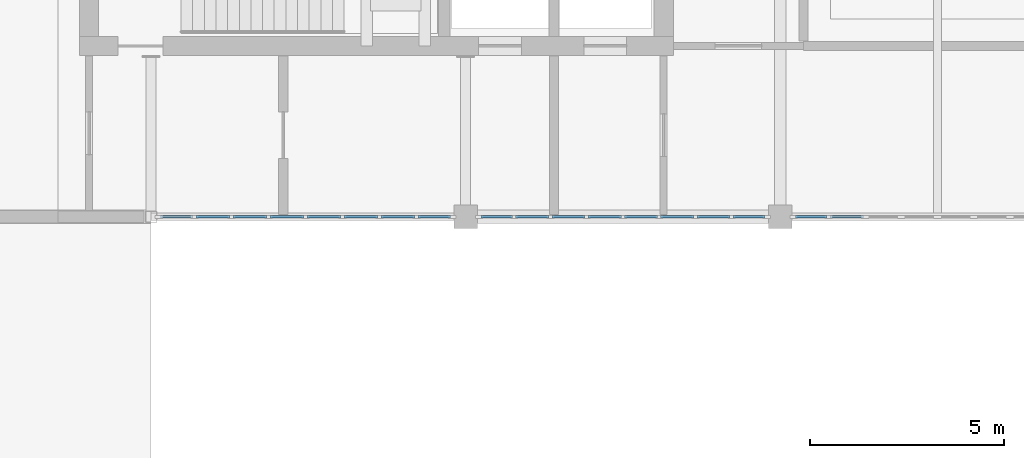
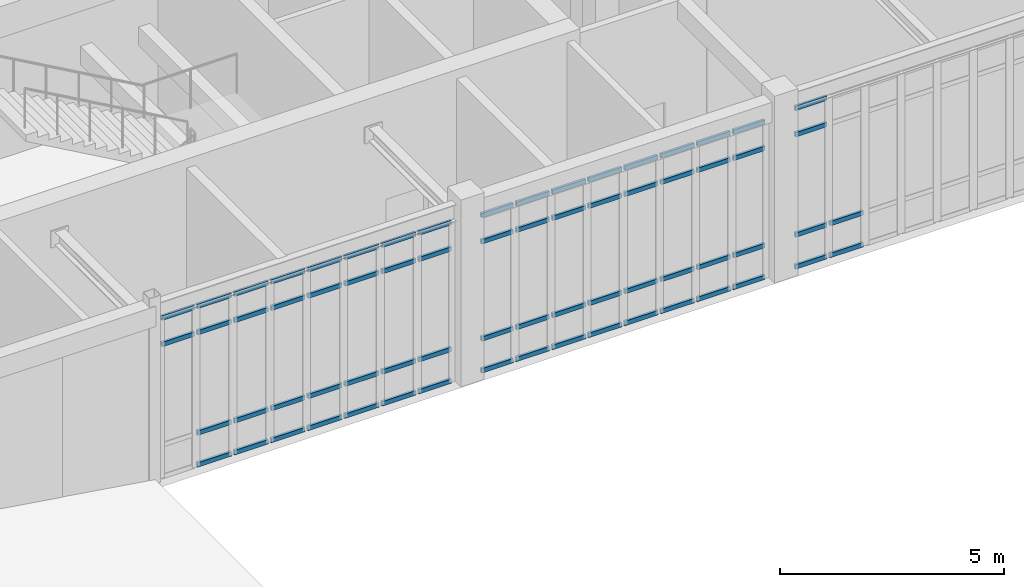
# One storey, part 36 of 70: 68 members, 3 elements without a shape of their own.
"""IFC4 building model written with IfcOpenShell, lengths in metres."""

from ifc_helpers import new_model, si_unit, direction, frame, origin, origin_2d, place, context, subcontext, project, spatial, rectangle, extrude, material, material_profile, profile_set, type_object, element, aggregate, save


model = new_model("IFC4")

# Units and contexts
model_context = context("Model", 3, precision=1e-05, world=origin(), true_north=direction((0.0, 1.0)))
body_context = subcontext(model_context, "Body", "Model", "MODEL_VIEW")
ifc_project = project(units=[si_unit("LENGTHUNIT", "METRE"), si_unit("AREAUNIT", "SQUARE_METRE"), si_unit("VOLUMEUNIT", "CUBIC_METRE"), si_unit("PLANEANGLEUNIT", "RADIAN"), si_unit("MASSUNIT", "GRAM", prefix="KILO")], contexts=[model_context])

# Site, building, storey
site_placement = place(None, origin())
site = spatial("IfcSite", under=ifc_project, at=site_placement, CompositionType="ELEMENT")
building_placement = place(site_placement, origin())
building = spatial("IfcBuilding", under=site, at=building_placement, Name="Tarnveldt Square Police Headquarters", CompositionType="ELEMENT")
storey_placement = place(building_placement, frame((0.0, 0.0, 19.800048828125)))
storey = spatial("IfcBuildingStorey", under=building, at=storey_placement, Name="L04", CompositionType="ELEMENT", Elevation=19.800048828125)

# Curtain wall, members
ifc_material_1 = material(Name="Triple-glazed low-e laminated vision glass", Category="glass")
curtain_wall_type_1 = type_object("IfcCurtainWallType", Name="CW-LB-762x439", PredefinedType="USERDEFINED", material=ifc_material_1)
curtain_wall_1_placement = place(storey_placement, origin())
curtain_wall_1 = element("IfcCurtainWall", 1, at=curtain_wall_1_placement, inside=storey, type_object=curtain_wall_type_1, Name="L04 Curtain Wall CW-L04-126", ObjectType="GLAZED CURTAIN WALL", PredefinedType="USERDEFINED")
ifc_material_2 = material(Name="Thermally broken anodised aluminium 6063-T6", Category="aluminium")
ifc_material_profile = material_profile(ifc_material_2, rectangle(XDim=0.06494140625, YDim=0.1201171875, at=origin_2d()), Name="CW-T65x120")
ifc_profile_set = profile_set([ifc_material_profile], Name="Thermally broken anodised aluminium 6063-T6")
member_type = type_object("IfcMemberType", Name="CWT-65x120", PredefinedType="USERDEFINED", material=ifc_profile_set)
member_1_placement = place(storey_placement, frame((48.84228515625, 96.0, 3.638916015625), z_axis=(1.0, 0.0, 0.0), x_axis=(0.0, 1.0, 0.0)))
member_1 = element("IfcMember", 2, at=member_1_placement, type_object=member_type, Name="CW-LB76 transom 1.3", ObjectType="TRANSOM", PredefinedType="USERDEFINED", context=body_context, shape_type="SweptSolid", body=[
    extrude(rectangle(XDim=0.06494140625, YDim=0.1201171875, at=origin_2d()), origin(), (0.0, 0.0, 1.0), 0.83984375),
])
member_2_placement = place(storey_placement, frame((48.84228515625, 96.0, 4.3564453125), z_axis=(1.0, 0.0, 0.0), x_axis=(0.0, 1.0, 0.0)))
member_2 = element("IfcMember", 3, at=member_2_placement, type_object=member_type, Name="CW-LB76 transom 1.4", ObjectType="TRANSOM", PredefinedType="USERDEFINED", context=body_context, shape_type="SweptSolid", body=[
    extrude(rectangle(XDim=0.06494140625, YDim=0.1201171875, at=origin_2d()), origin(), (0.0, 0.0, 1.0), 0.83984375),
])
member_3_placement = place(storey_placement, frame((49.757080078125, 96.0, 0.032470703125), z_axis=(1.0, 0.0, 0.0), x_axis=(0.0, 1.0, 0.0)))
member_3 = element("IfcMember", 4, at=member_3_placement, type_object=member_type, Name="CW-LB76 transom 2.1", ObjectType="TRANSOM", PredefinedType="USERDEFINED", context=body_context, shape_type="SweptSolid", body=[
    extrude(rectangle(XDim=0.06494140625, YDim=0.1201171875, at=origin_2d()), origin(), (0.0, 0.0, 1.0), 0.877197265625),
])
member_4_placement = place(storey_placement, frame((49.757080078125, 96.0, 0.89990234375), z_axis=(1.0, 0.0, 0.0), x_axis=(0.0, 1.0, 0.0)))
member_4 = element("IfcMember", 5, at=member_4_placement, type_object=member_type, Name="CW-LB76 transom 2.2", ObjectType="TRANSOM", PredefinedType="USERDEFINED", context=body_context, shape_type="SweptSolid", body=[
    extrude(rectangle(XDim=0.06494140625, YDim=0.1201171875, at=origin_2d()), origin(), (0.0, 0.0, 1.0), 0.877197265625),
])
member_5_placement = place(storey_placement, frame((49.757080078125, 96.0, 3.638916015625), z_axis=(1.0, 0.0, 0.0), x_axis=(0.0, 1.0, 0.0)))
member_5 = element("IfcMember", 6, at=member_5_placement, type_object=member_type, Name="CW-LB76 transom 2.3", ObjectType="TRANSOM", PredefinedType="USERDEFINED", context=body_context, shape_type="SweptSolid", body=[
    extrude(rectangle(XDim=0.06494140625, YDim=0.1201171875, at=origin_2d()), origin(), (0.0, 0.0, 1.0), 0.877197265625),
])
member_6_placement = place(storey_placement, frame((49.757080078125, 96.0, 4.3564453125), z_axis=(1.0, 0.0, 0.0), x_axis=(0.0, 1.0, 0.0)))
member_6 = element("IfcMember", 7, at=member_6_placement, type_object=member_type, Name="CW-LB76 transom 2.4", ObjectType="TRANSOM", PredefinedType="USERDEFINED", context=body_context, shape_type="SweptSolid", body=[
    extrude(rectangle(XDim=0.06494140625, YDim=0.1201171875, at=origin_2d()), origin(), (0.0, 0.0, 1.0), 0.877197265625),
])
member_7_placement = place(storey_placement, frame((50.709228515625, 96.0, 0.032470703125), z_axis=(1.0, 0.0, 0.0), x_axis=(0.0, 1.0, 0.0)))
member_7 = element("IfcMember", 8, at=member_7_placement, type_object=member_type, Name="CW-LB76 transom 3.1", ObjectType="TRANSOM", PredefinedType="USERDEFINED", context=body_context, shape_type="SweptSolid", body=[
    extrude(rectangle(XDim=0.06494140625, YDim=0.1201171875, at=origin_2d()), origin(), (0.0, 0.0, 1.0), 0.877197265625),
])
member_8_placement = place(storey_placement, frame((50.709228515625, 96.0, 0.89990234375), z_axis=(1.0, 0.0, 0.0), x_axis=(0.0, 1.0, 0.0)))
member_8 = element("IfcMember", 9, at=member_8_placement, type_object=member_type, Name="CW-LB76 transom 3.2", ObjectType="TRANSOM", PredefinedType="USERDEFINED", context=body_context, shape_type="SweptSolid", body=[
    extrude(rectangle(XDim=0.06494140625, YDim=0.1201171875, at=origin_2d()), origin(), (0.0, 0.0, 1.0), 0.877197265625),
])
member_9_placement = place(storey_placement, frame((50.709228515625, 96.0, 3.638916015625), z_axis=(1.0, 0.0, 0.0), x_axis=(0.0, 1.0, 0.0)))
member_9 = element("IfcMember", 10, at=member_9_placement, type_object=member_type, Name="CW-LB76 transom 3.3", ObjectType="TRANSOM", PredefinedType="USERDEFINED", context=body_context, shape_type="SweptSolid", body=[
    extrude(rectangle(XDim=0.06494140625, YDim=0.1201171875, at=origin_2d()), origin(), (0.0, 0.0, 1.0), 0.877197265625),
])
member_10_placement = place(storey_placement, frame((50.709228515625, 96.0, 4.3564453125), z_axis=(1.0, 0.0, 0.0), x_axis=(0.0, 1.0, 0.0)))
member_10 = element("IfcMember", 11, at=member_10_placement, type_object=member_type, Name="CW-LB76 transom 3.4", ObjectType="TRANSOM", PredefinedType="USERDEFINED", context=body_context, shape_type="SweptSolid", body=[
    extrude(rectangle(XDim=0.06494140625, YDim=0.1201171875, at=origin_2d()), origin(), (0.0, 0.0, 1.0), 0.877197265625),
])
member_11_placement = place(storey_placement, frame((51.66162109375, 96.0, 0.032470703125), z_axis=(1.0, 0.0, 0.0), x_axis=(0.0, 1.0, 0.0)))
member_11 = element("IfcMember", 12, at=member_11_placement, type_object=member_type, Name="CW-LB76 transom 4.1", ObjectType="TRANSOM", PredefinedType="USERDEFINED", context=body_context, shape_type="SweptSolid", body=[
    extrude(rectangle(XDim=0.06494140625, YDim=0.1201171875, at=origin_2d()), origin(), (0.0, 0.0, 1.0), 0.877197265625),
])
member_12_placement = place(storey_placement, frame((51.66162109375, 96.0, 0.89990234375), z_axis=(1.0, 0.0, 0.0), x_axis=(0.0, 1.0, 0.0)))
member_12 = element("IfcMember", 13, at=member_12_placement, type_object=member_type, Name="CW-LB76 transom 4.2", ObjectType="TRANSOM", PredefinedType="USERDEFINED", context=body_context, shape_type="SweptSolid", body=[
    extrude(rectangle(XDim=0.06494140625, YDim=0.1201171875, at=origin_2d()), origin(), (0.0, 0.0, 1.0), 0.877197265625),
])
member_13_placement = place(storey_placement, frame((51.66162109375, 96.0, 3.638916015625), z_axis=(1.0, 0.0, 0.0), x_axis=(0.0, 1.0, 0.0)))
member_13 = element("IfcMember", 14, at=member_13_placement, type_object=member_type, Name="CW-LB76 transom 4.3", ObjectType="TRANSOM", PredefinedType="USERDEFINED", context=body_context, shape_type="SweptSolid", body=[
    extrude(rectangle(XDim=0.06494140625, YDim=0.1201171875, at=origin_2d()), origin(), (0.0, 0.0, 1.0), 0.877197265625),
])
member_14_placement = place(storey_placement, frame((51.66162109375, 96.0, 4.3564453125), z_axis=(1.0, 0.0, 0.0), x_axis=(0.0, 1.0, 0.0)))
member_14 = element("IfcMember", 15, at=member_14_placement, type_object=member_type, Name="CW-LB76 transom 4.4", ObjectType="TRANSOM", PredefinedType="USERDEFINED", context=body_context, shape_type="SweptSolid", body=[
    extrude(rectangle(XDim=0.06494140625, YDim=0.1201171875, at=origin_2d()), origin(), (0.0, 0.0, 1.0), 0.877197265625),
])
member_15_placement = place(storey_placement, frame((52.61376953125, 96.0, 0.032470703125), z_axis=(1.0, 0.0, 0.0), x_axis=(0.0, 1.0, 0.0)))
member_15 = element("IfcMember", 16, at=member_15_placement, type_object=member_type, Name="CW-LB76 transom 5.1", ObjectType="TRANSOM", PredefinedType="USERDEFINED", context=body_context, shape_type="SweptSolid", body=[
    extrude(rectangle(XDim=0.06494140625, YDim=0.1201171875, at=origin_2d()), origin(), (0.0, 0.0, 1.0), 0.877197265625),
])
member_16_placement = place(storey_placement, frame((52.61376953125, 96.0, 0.89990234375), z_axis=(1.0, 0.0, 0.0), x_axis=(0.0, 1.0, 0.0)))
member_16 = element("IfcMember", 17, at=member_16_placement, type_object=member_type, Name="CW-LB76 transom 5.2", ObjectType="TRANSOM", PredefinedType="USERDEFINED", context=body_context, shape_type="SweptSolid", body=[
    extrude(rectangle(XDim=0.06494140625, YDim=0.1201171875, at=origin_2d()), origin(), (0.0, 0.0, 1.0), 0.877197265625),
])
member_17_placement = place(storey_placement, frame((52.61376953125, 96.0, 3.638916015625), z_axis=(1.0, 0.0, 0.0), x_axis=(0.0, 1.0, 0.0)))
member_17 = element("IfcMember", 18, at=member_17_placement, type_object=member_type, Name="CW-LB76 transom 5.3", ObjectType="TRANSOM", PredefinedType="USERDEFINED", context=body_context, shape_type="SweptSolid", body=[
    extrude(rectangle(XDim=0.06494140625, YDim=0.1201171875, at=origin_2d()), origin(), (0.0, 0.0, 1.0), 0.877197265625),
])
member_18_placement = place(storey_placement, frame((52.61376953125, 96.0, 4.3564453125), z_axis=(1.0, 0.0, 0.0), x_axis=(0.0, 1.0, 0.0)))
member_18 = element("IfcMember", 19, at=member_18_placement, type_object=member_type, Name="CW-LB76 transom 5.4", ObjectType="TRANSOM", PredefinedType="USERDEFINED", context=body_context, shape_type="SweptSolid", body=[
    extrude(rectangle(XDim=0.06494140625, YDim=0.1201171875, at=origin_2d()), origin(), (0.0, 0.0, 1.0), 0.877197265625),
])
member_19_placement = place(storey_placement, frame((53.56591796875, 96.0, 0.032470703125), z_axis=(1.0, 0.0, 0.0), x_axis=(0.0, 1.0, 0.0)))
member_19 = element("IfcMember", 20, at=member_19_placement, type_object=member_type, Name="CW-LB76 transom 6.1", ObjectType="TRANSOM", PredefinedType="USERDEFINED", context=body_context, shape_type="SweptSolid", body=[
    extrude(rectangle(XDim=0.06494140625, YDim=0.1201171875, at=origin_2d()), origin(), (0.0, 0.0, 1.0), 0.877197265625),
])
member_20_placement = place(storey_placement, frame((53.56591796875, 96.0, 0.89990234375), z_axis=(1.0, 0.0, 0.0), x_axis=(0.0, 1.0, 0.0)))
member_20 = element("IfcMember", 21, at=member_20_placement, type_object=member_type, Name="CW-LB76 transom 6.2", ObjectType="TRANSOM", PredefinedType="USERDEFINED", context=body_context, shape_type="SweptSolid", body=[
    extrude(rectangle(XDim=0.06494140625, YDim=0.1201171875, at=origin_2d()), origin(), (0.0, 0.0, 1.0), 0.877197265625),
])
member_21_placement = place(storey_placement, frame((53.56591796875, 96.0, 3.638916015625), z_axis=(1.0, 0.0, 0.0), x_axis=(0.0, 1.0, 0.0)))
member_21 = element("IfcMember", 22, at=member_21_placement, type_object=member_type, Name="CW-LB76 transom 6.3", ObjectType="TRANSOM", PredefinedType="USERDEFINED", context=body_context, shape_type="SweptSolid", body=[
    extrude(rectangle(XDim=0.06494140625, YDim=0.1201171875, at=origin_2d()), origin(), (0.0, 0.0, 1.0), 0.877197265625),
])
member_22_placement = place(storey_placement, frame((53.56591796875, 96.0, 4.3564453125), z_axis=(1.0, 0.0, 0.0), x_axis=(0.0, 1.0, 0.0)))
member_22 = element("IfcMember", 23, at=member_22_placement, type_object=member_type, Name="CW-LB76 transom 6.4", ObjectType="TRANSOM", PredefinedType="USERDEFINED", context=body_context, shape_type="SweptSolid", body=[
    extrude(rectangle(XDim=0.06494140625, YDim=0.1201171875, at=origin_2d()), origin(), (0.0, 0.0, 1.0), 0.877197265625),
])
member_23_placement = place(storey_placement, frame((54.51806640625, 96.0, 0.032470703125), z_axis=(1.0, 0.0, 0.0), x_axis=(0.0, 1.0, 0.0)))
member_23 = element("IfcMember", 24, at=member_23_placement, type_object=member_type, Name="CW-LB76 transom 7.1", ObjectType="TRANSOM", PredefinedType="USERDEFINED", context=body_context, shape_type="SweptSolid", body=[
    extrude(rectangle(XDim=0.06494140625, YDim=0.1201171875, at=origin_2d()), origin(), (0.0, 0.0, 1.0), 0.877197265625),
])
member_24_placement = place(storey_placement, frame((54.51806640625, 96.0, 0.89990234375), z_axis=(1.0, 0.0, 0.0), x_axis=(0.0, 1.0, 0.0)))
member_24 = element("IfcMember", 25, at=member_24_placement, type_object=member_type, Name="CW-LB76 transom 7.2", ObjectType="TRANSOM", PredefinedType="USERDEFINED", context=body_context, shape_type="SweptSolid", body=[
    extrude(rectangle(XDim=0.06494140625, YDim=0.1201171875, at=origin_2d()), origin(), (0.0, 0.0, 1.0), 0.877197265625),
])
member_25_placement = place(storey_placement, frame((54.51806640625, 96.0, 3.638916015625), z_axis=(1.0, 0.0, 0.0), x_axis=(0.0, 1.0, 0.0)))
member_25 = element("IfcMember", 26, at=member_25_placement, type_object=member_type, Name="CW-LB76 transom 7.3", ObjectType="TRANSOM", PredefinedType="USERDEFINED", context=body_context, shape_type="SweptSolid", body=[
    extrude(rectangle(XDim=0.06494140625, YDim=0.1201171875, at=origin_2d()), origin(), (0.0, 0.0, 1.0), 0.877197265625),
])
member_26_placement = place(storey_placement, frame((54.51806640625, 96.0, 4.3564453125), z_axis=(1.0, 0.0, 0.0), x_axis=(0.0, 1.0, 0.0)))
member_26 = element("IfcMember", 27, at=member_26_placement, type_object=member_type, Name="CW-LB76 transom 7.4", ObjectType="TRANSOM", PredefinedType="USERDEFINED", context=body_context, shape_type="SweptSolid", body=[
    extrude(rectangle(XDim=0.06494140625, YDim=0.1201171875, at=origin_2d()), origin(), (0.0, 0.0, 1.0), 0.877197265625),
])
member_27_placement = place(storey_placement, frame((55.47021484375, 96.0, 0.032470703125), z_axis=(1.0, 0.0, 0.0), x_axis=(0.0, 1.0, 0.0)))
member_27 = element("IfcMember", 28, at=member_27_placement, type_object=member_type, Name="CW-LB76 transom 8.1", ObjectType="TRANSOM", PredefinedType="USERDEFINED", context=body_context, shape_type="SweptSolid", body=[
    extrude(rectangle(XDim=0.06494140625, YDim=0.1201171875, at=origin_2d()), origin(), (0.0, 0.0, 1.0), 0.83984375),
])
member_28_placement = place(storey_placement, frame((55.47021484375, 96.0, 0.89990234375), z_axis=(1.0, 0.0, 0.0), x_axis=(0.0, 1.0, 0.0)))
member_28 = element("IfcMember", 29, at=member_28_placement, type_object=member_type, Name="CW-LB76 transom 8.2", ObjectType="TRANSOM", PredefinedType="USERDEFINED", context=body_context, shape_type="SweptSolid", body=[
    extrude(rectangle(XDim=0.06494140625, YDim=0.1201171875, at=origin_2d()), origin(), (0.0, 0.0, 1.0), 0.83984375),
])
member_29_placement = place(storey_placement, frame((55.47021484375, 96.0, 3.638916015625), z_axis=(1.0, 0.0, 0.0), x_axis=(0.0, 1.0, 0.0)))
member_29 = element("IfcMember", 30, at=member_29_placement, type_object=member_type, Name="CW-LB76 transom 8.3", ObjectType="TRANSOM", PredefinedType="USERDEFINED", context=body_context, shape_type="SweptSolid", body=[
    extrude(rectangle(XDim=0.06494140625, YDim=0.1201171875, at=origin_2d()), origin(), (0.0, 0.0, 1.0), 0.83984375),
])
member_30_placement = place(storey_placement, frame((55.47021484375, 96.0, 4.3564453125), z_axis=(1.0, 0.0, 0.0), x_axis=(0.0, 1.0, 0.0)))
member_30 = element("IfcMember", 31, at=member_30_placement, type_object=member_type, Name="CW-LB76 transom 8.4", ObjectType="TRANSOM", PredefinedType="USERDEFINED", context=body_context, shape_type="SweptSolid", body=[
    extrude(rectangle(XDim=0.06494140625, YDim=0.1201171875, at=origin_2d()), origin(), (0.0, 0.0, 1.0), 0.83984375),
])
aggregate(curtain_wall_1, [member_1, member_2, member_3, member_4, member_5, member_6, member_7, member_8, member_9, member_10, member_11, member_12, member_13, member_14, member_15, member_16, member_17, member_18, member_19, member_20, member_21, member_22, member_23, member_24, member_25, member_26, member_27, member_28, member_29, member_30])

curtain_wall_type_2 = type_object("IfcCurtainWallType", Name="CW-LB-747x430", PredefinedType="USERDEFINED", material=ifc_material_1)
curtain_wall_2_placement = place(storey_placement, origin())
curtain_wall_2 = element("IfcCurtainWall", 32, at=curtain_wall_2_placement, inside=storey, type_object=curtain_wall_type_2, Name="L04 Curtain Wall CW-L04-127", ObjectType="GLAZED CURTAIN WALL", PredefinedType="USERDEFINED")
member_31_placement = place(storey_placement, frame((57.090087890625, 96.0, 0.032470703125), z_axis=(1.0, 0.0, 0.0), x_axis=(0.0, 1.0, 0.0)))
member_31 = element("IfcMember", 33, at=member_31_placement, type_object=member_type, Name="CW-LB71 transom 1.1", ObjectType="TRANSOM", PredefinedType="USERDEFINED", context=body_context, shape_type="SweptSolid", body=[
    extrude(rectangle(XDim=0.06494140625, YDim=0.1201171875, at=origin_2d()), origin(), (0.0, 0.0, 1.0), 0.821044921875),
])
member_32_placement = place(storey_placement, frame((57.090087890625, 96.0, 0.89990234375), z_axis=(1.0, 0.0, 0.0), x_axis=(0.0, 1.0, 0.0)))
member_32 = element("IfcMember", 34, at=member_32_placement, type_object=member_type, Name="CW-LB71 transom 1.2", ObjectType="TRANSOM", PredefinedType="USERDEFINED", context=body_context, shape_type="SweptSolid", body=[
    extrude(rectangle(XDim=0.06494140625, YDim=0.1201171875, at=origin_2d()), origin(), (0.0, 0.0, 1.0), 0.821044921875),
])
member_33_placement = place(storey_placement, frame((57.090087890625, 96.0, 3.552001953125), z_axis=(1.0, 0.0, 0.0), x_axis=(0.0, 1.0, 0.0)))
member_33 = element("IfcMember", 35, at=member_33_placement, type_object=member_type, Name="CW-LB71 transom 1.3", ObjectType="TRANSOM", PredefinedType="USERDEFINED", context=body_context, shape_type="SweptSolid", body=[
    extrude(rectangle(XDim=0.06494140625, YDim=0.1201171875, at=origin_2d()), origin(), (0.0, 0.0, 1.0), 0.821044921875),
])
member_34_placement = place(storey_placement, frame((57.090087890625, 96.0, 4.26953125), z_axis=(1.0, 0.0, 0.0), x_axis=(0.0, 1.0, 0.0)))
member_34 = element("IfcMember", 36, at=member_34_placement, type_object=member_type, Name="CW-LB71 transom 1.4", ObjectType="TRANSOM", PredefinedType="USERDEFINED", context=body_context, shape_type="SweptSolid", body=[
    extrude(rectangle(XDim=0.06494140625, YDim=0.1201171875, at=origin_2d()), origin(), (0.0, 0.0, 1.0), 0.821044921875),
])
member_35_placement = place(storey_placement, frame((57.986328125, 96.0, 0.032470703125), z_axis=(1.0, 0.0, 0.0), x_axis=(0.0, 1.0, 0.0)))
member_35 = element("IfcMember", 37, at=member_35_placement, type_object=member_type, Name="CW-LB71 transom 2.1", ObjectType="TRANSOM", PredefinedType="USERDEFINED", context=body_context, shape_type="SweptSolid", body=[
    extrude(rectangle(XDim=0.06494140625, YDim=0.1201171875, at=origin_2d()), origin(), (0.0, 0.0, 1.0), 0.858642578125),
])
member_36_placement = place(storey_placement, frame((57.986328125, 96.0, 0.89990234375), z_axis=(1.0, 0.0, 0.0), x_axis=(0.0, 1.0, 0.0)))
member_36 = element("IfcMember", 38, at=member_36_placement, type_object=member_type, Name="CW-LB71 transom 2.2", ObjectType="TRANSOM", PredefinedType="USERDEFINED", context=body_context, shape_type="SweptSolid", body=[
    extrude(rectangle(XDim=0.06494140625, YDim=0.1201171875, at=origin_2d()), origin(), (0.0, 0.0, 1.0), 0.858642578125),
])
member_37_placement = place(storey_placement, frame((57.986328125, 96.0, 3.552001953125), z_axis=(1.0, 0.0, 0.0), x_axis=(0.0, 1.0, 0.0)))
member_37 = element("IfcMember", 39, at=member_37_placement, type_object=member_type, Name="CW-LB71 transom 2.3", ObjectType="TRANSOM", PredefinedType="USERDEFINED", context=body_context, shape_type="SweptSolid", body=[
    extrude(rectangle(XDim=0.06494140625, YDim=0.1201171875, at=origin_2d()), origin(), (0.0, 0.0, 1.0), 0.858642578125),
])
member_38_placement = place(storey_placement, frame((57.986328125, 96.0, 4.26953125), z_axis=(1.0, 0.0, 0.0), x_axis=(0.0, 1.0, 0.0)))
member_38 = element("IfcMember", 40, at=member_38_placement, type_object=member_type, Name="CW-LB71 transom 2.4", ObjectType="TRANSOM", PredefinedType="USERDEFINED", context=body_context, shape_type="SweptSolid", body=[
    extrude(rectangle(XDim=0.06494140625, YDim=0.1201171875, at=origin_2d()), origin(), (0.0, 0.0, 1.0), 0.858642578125),
])
member_39_placement = place(storey_placement, frame((58.919921875, 96.0, 0.032470703125), z_axis=(1.0, 0.0, 0.0), x_axis=(0.0, 1.0, 0.0)))
member_39 = element("IfcMember", 41, at=member_39_placement, type_object=member_type, Name="CW-LB71 transom 3.1", ObjectType="TRANSOM", PredefinedType="USERDEFINED", context=body_context, shape_type="SweptSolid", body=[
    extrude(rectangle(XDim=0.06494140625, YDim=0.1201171875, at=origin_2d()), origin(), (0.0, 0.0, 1.0), 0.85888671875),
])
member_40_placement = place(storey_placement, frame((58.919921875, 96.0, 0.89990234375), z_axis=(1.0, 0.0, 0.0), x_axis=(0.0, 1.0, 0.0)))
member_40 = element("IfcMember", 42, at=member_40_placement, type_object=member_type, Name="CW-LB71 transom 3.2", ObjectType="TRANSOM", PredefinedType="USERDEFINED", context=body_context, shape_type="SweptSolid", body=[
    extrude(rectangle(XDim=0.06494140625, YDim=0.1201171875, at=origin_2d()), origin(), (0.0, 0.0, 1.0), 0.85888671875),
])
member_41_placement = place(storey_placement, frame((58.919921875, 96.0, 3.552001953125), z_axis=(1.0, 0.0, 0.0), x_axis=(0.0, 1.0, 0.0)))
member_41 = element("IfcMember", 43, at=member_41_placement, type_object=member_type, Name="CW-LB71 transom 3.3", ObjectType="TRANSOM", PredefinedType="USERDEFINED", context=body_context, shape_type="SweptSolid", body=[
    extrude(rectangle(XDim=0.06494140625, YDim=0.1201171875, at=origin_2d()), origin(), (0.0, 0.0, 1.0), 0.85888671875),
])
member_42_placement = place(storey_placement, frame((58.919921875, 96.0, 4.26953125), z_axis=(1.0, 0.0, 0.0), x_axis=(0.0, 1.0, 0.0)))
member_42 = element("IfcMember", 44, at=member_42_placement, type_object=member_type, Name="CW-LB71 transom 3.4", ObjectType="TRANSOM", PredefinedType="USERDEFINED", context=body_context, shape_type="SweptSolid", body=[
    extrude(rectangle(XDim=0.06494140625, YDim=0.1201171875, at=origin_2d()), origin(), (0.0, 0.0, 1.0), 0.85888671875),
])
member_43_placement = place(storey_placement, frame((59.853759765625, 96.0, 0.032470703125), z_axis=(1.0, 0.0, 0.0), x_axis=(0.0, 1.0, 0.0)))
member_43 = element("IfcMember", 45, at=member_43_placement, type_object=member_type, Name="CW-LB71 transom 4.1", ObjectType="TRANSOM", PredefinedType="USERDEFINED", context=body_context, shape_type="SweptSolid", body=[
    extrude(rectangle(XDim=0.06494140625, YDim=0.1201171875, at=origin_2d()), origin(), (0.0, 0.0, 1.0), 0.858642578125),
])
member_44_placement = place(storey_placement, frame((59.853759765625, 96.0, 0.89990234375), z_axis=(1.0, 0.0, 0.0), x_axis=(0.0, 1.0, 0.0)))
member_44 = element("IfcMember", 46, at=member_44_placement, type_object=member_type, Name="CW-LB71 transom 4.2", ObjectType="TRANSOM", PredefinedType="USERDEFINED", context=body_context, shape_type="SweptSolid", body=[
    extrude(rectangle(XDim=0.06494140625, YDim=0.1201171875, at=origin_2d()), origin(), (0.0, 0.0, 1.0), 0.858642578125),
])
member_45_placement = place(storey_placement, frame((59.853759765625, 96.0, 3.552001953125), z_axis=(1.0, 0.0, 0.0), x_axis=(0.0, 1.0, 0.0)))
member_45 = element("IfcMember", 47, at=member_45_placement, type_object=member_type, Name="CW-LB71 transom 4.3", ObjectType="TRANSOM", PredefinedType="USERDEFINED", context=body_context, shape_type="SweptSolid", body=[
    extrude(rectangle(XDim=0.06494140625, YDim=0.1201171875, at=origin_2d()), origin(), (0.0, 0.0, 1.0), 0.858642578125),
])
member_46_placement = place(storey_placement, frame((59.853759765625, 96.0, 4.26953125), z_axis=(1.0, 0.0, 0.0), x_axis=(0.0, 1.0, 0.0)))
member_46 = element("IfcMember", 48, at=member_46_placement, type_object=member_type, Name="CW-LB71 transom 4.4", ObjectType="TRANSOM", PredefinedType="USERDEFINED", context=body_context, shape_type="SweptSolid", body=[
    extrude(rectangle(XDim=0.06494140625, YDim=0.1201171875, at=origin_2d()), origin(), (0.0, 0.0, 1.0), 0.858642578125),
])
member_47_placement = place(storey_placement, frame((60.78759765625, 96.0, 0.032470703125), z_axis=(1.0, 0.0, 0.0), x_axis=(0.0, 1.0, 0.0)))
member_47 = element("IfcMember", 49, at=member_47_placement, type_object=member_type, Name="CW-LB71 transom 5.1", ObjectType="TRANSOM", PredefinedType="USERDEFINED", context=body_context, shape_type="SweptSolid", body=[
    extrude(rectangle(XDim=0.06494140625, YDim=0.1201171875, at=origin_2d()), origin(), (0.0, 0.0, 1.0), 0.858642578125),
])
member_48_placement = place(storey_placement, frame((60.78759765625, 96.0, 0.89990234375), z_axis=(1.0, 0.0, 0.0), x_axis=(0.0, 1.0, 0.0)))
member_48 = element("IfcMember", 50, at=member_48_placement, type_object=member_type, Name="CW-LB71 transom 5.2", ObjectType="TRANSOM", PredefinedType="USERDEFINED", context=body_context, shape_type="SweptSolid", body=[
    extrude(rectangle(XDim=0.06494140625, YDim=0.1201171875, at=origin_2d()), origin(), (0.0, 0.0, 1.0), 0.858642578125),
])
member_49_placement = place(storey_placement, frame((60.78759765625, 96.0, 3.552001953125), z_axis=(1.0, 0.0, 0.0), x_axis=(0.0, 1.0, 0.0)))
member_49 = element("IfcMember", 51, at=member_49_placement, type_object=member_type, Name="CW-LB71 transom 5.3", ObjectType="TRANSOM", PredefinedType="USERDEFINED", context=body_context, shape_type="SweptSolid", body=[
    extrude(rectangle(XDim=0.06494140625, YDim=0.1201171875, at=origin_2d()), origin(), (0.0, 0.0, 1.0), 0.858642578125),
])
member_50_placement = place(storey_placement, frame((60.78759765625, 96.0, 4.26953125), z_axis=(1.0, 0.0, 0.0), x_axis=(0.0, 1.0, 0.0)))
member_50 = element("IfcMember", 52, at=member_50_placement, type_object=member_type, Name="CW-LB71 transom 5.4", ObjectType="TRANSOM", PredefinedType="USERDEFINED", context=body_context, shape_type="SweptSolid", body=[
    extrude(rectangle(XDim=0.06494140625, YDim=0.1201171875, at=origin_2d()), origin(), (0.0, 0.0, 1.0), 0.858642578125),
])
member_51_placement = place(storey_placement, frame((61.72119140625, 96.0, 0.032470703125), z_axis=(1.0, 0.0, 0.0), x_axis=(0.0, 1.0, 0.0)))
member_51 = element("IfcMember", 53, at=member_51_placement, type_object=member_type, Name="CW-LB71 transom 6.1", ObjectType="TRANSOM", PredefinedType="USERDEFINED", context=body_context, shape_type="SweptSolid", body=[
    extrude(rectangle(XDim=0.06494140625, YDim=0.1201171875, at=origin_2d()), origin(), (0.0, 0.0, 1.0), 0.85888671875),
])
member_52_placement = place(storey_placement, frame((61.72119140625, 96.0, 0.89990234375), z_axis=(1.0, 0.0, 0.0), x_axis=(0.0, 1.0, 0.0)))
member_52 = element("IfcMember", 54, at=member_52_placement, type_object=member_type, Name="CW-LB71 transom 6.2", ObjectType="TRANSOM", PredefinedType="USERDEFINED", context=body_context, shape_type="SweptSolid", body=[
    extrude(rectangle(XDim=0.06494140625, YDim=0.1201171875, at=origin_2d()), origin(), (0.0, 0.0, 1.0), 0.85888671875),
])
member_53_placement = place(storey_placement, frame((61.72119140625, 96.0, 3.552001953125), z_axis=(1.0, 0.0, 0.0), x_axis=(0.0, 1.0, 0.0)))
member_53 = element("IfcMember", 55, at=member_53_placement, type_object=member_type, Name="CW-LB71 transom 6.3", ObjectType="TRANSOM", PredefinedType="USERDEFINED", context=body_context, shape_type="SweptSolid", body=[
    extrude(rectangle(XDim=0.06494140625, YDim=0.1201171875, at=origin_2d()), origin(), (0.0, 0.0, 1.0), 0.85888671875),
])
member_54_placement = place(storey_placement, frame((61.72119140625, 96.0, 4.26953125), z_axis=(1.0, 0.0, 0.0), x_axis=(0.0, 1.0, 0.0)))
member_54 = element("IfcMember", 56, at=member_54_placement, type_object=member_type, Name="CW-LB71 transom 6.4", ObjectType="TRANSOM", PredefinedType="USERDEFINED", context=body_context, shape_type="SweptSolid", body=[
    extrude(rectangle(XDim=0.06494140625, YDim=0.1201171875, at=origin_2d()), origin(), (0.0, 0.0, 1.0), 0.85888671875),
])
member_55_placement = place(storey_placement, frame((62.655029296875, 96.0, 0.032470703125), z_axis=(1.0, 0.0, 0.0), x_axis=(0.0, 1.0, 0.0)))
member_55 = element("IfcMember", 57, at=member_55_placement, type_object=member_type, Name="CW-LB71 transom 7.1", ObjectType="TRANSOM", PredefinedType="USERDEFINED", context=body_context, shape_type="SweptSolid", body=[
    extrude(rectangle(XDim=0.06494140625, YDim=0.1201171875, at=origin_2d()), origin(), (0.0, 0.0, 1.0), 0.858642578125),
])
member_56_placement = place(storey_placement, frame((62.655029296875, 96.0, 0.89990234375), z_axis=(1.0, 0.0, 0.0), x_axis=(0.0, 1.0, 0.0)))
member_56 = element("IfcMember", 58, at=member_56_placement, type_object=member_type, Name="CW-LB71 transom 7.2", ObjectType="TRANSOM", PredefinedType="USERDEFINED", context=body_context, shape_type="SweptSolid", body=[
    extrude(rectangle(XDim=0.06494140625, YDim=0.1201171875, at=origin_2d()), origin(), (0.0, 0.0, 1.0), 0.858642578125),
])
member_57_placement = place(storey_placement, frame((62.655029296875, 96.0, 3.552001953125), z_axis=(1.0, 0.0, 0.0), x_axis=(0.0, 1.0, 0.0)))
member_57 = element("IfcMember", 59, at=member_57_placement, type_object=member_type, Name="CW-LB71 transom 7.3", ObjectType="TRANSOM", PredefinedType="USERDEFINED", context=body_context, shape_type="SweptSolid", body=[
    extrude(rectangle(XDim=0.06494140625, YDim=0.1201171875, at=origin_2d()), origin(), (0.0, 0.0, 1.0), 0.858642578125),
])
member_58_placement = place(storey_placement, frame((62.655029296875, 96.0, 4.26953125), z_axis=(1.0, 0.0, 0.0), x_axis=(0.0, 1.0, 0.0)))
member_58 = element("IfcMember", 60, at=member_58_placement, type_object=member_type, Name="CW-LB71 transom 7.4", ObjectType="TRANSOM", PredefinedType="USERDEFINED", context=body_context, shape_type="SweptSolid", body=[
    extrude(rectangle(XDim=0.06494140625, YDim=0.1201171875, at=origin_2d()), origin(), (0.0, 0.0, 1.0), 0.858642578125),
])
member_59_placement = place(storey_placement, frame((63.5888671875, 96.0, 0.032470703125), z_axis=(1.0, 0.0, 0.0), x_axis=(0.0, 1.0, 0.0)))
member_59 = element("IfcMember", 61, at=member_59_placement, type_object=member_type, Name="CW-LB71 transom 8.1", ObjectType="TRANSOM", PredefinedType="USERDEFINED", context=body_context, shape_type="SweptSolid", body=[
    extrude(rectangle(XDim=0.06494140625, YDim=0.1201171875, at=origin_2d()), origin(), (0.0, 0.0, 1.0), 0.821044921875),
])
member_60_placement = place(storey_placement, frame((63.5888671875, 96.0, 0.89990234375), z_axis=(1.0, 0.0, 0.0), x_axis=(0.0, 1.0, 0.0)))
member_60 = element("IfcMember", 62, at=member_60_placement, type_object=member_type, Name="CW-LB71 transom 8.2", ObjectType="TRANSOM", PredefinedType="USERDEFINED", context=body_context, shape_type="SweptSolid", body=[
    extrude(rectangle(XDim=0.06494140625, YDim=0.1201171875, at=origin_2d()), origin(), (0.0, 0.0, 1.0), 0.821044921875),
])
member_61_placement = place(storey_placement, frame((63.5888671875, 96.0, 3.552001953125), z_axis=(1.0, 0.0, 0.0), x_axis=(0.0, 1.0, 0.0)))
member_61 = element("IfcMember", 63, at=member_61_placement, type_object=member_type, Name="CW-LB71 transom 8.3", ObjectType="TRANSOM", PredefinedType="USERDEFINED", context=body_context, shape_type="SweptSolid", body=[
    extrude(rectangle(XDim=0.06494140625, YDim=0.1201171875, at=origin_2d()), origin(), (0.0, 0.0, 1.0), 0.821044921875),
])
member_62_placement = place(storey_placement, frame((63.5888671875, 96.0, 4.26953125), z_axis=(1.0, 0.0, 0.0), x_axis=(0.0, 1.0, 0.0)))
member_62 = element("IfcMember", 64, at=member_62_placement, type_object=member_type, Name="CW-LB71 transom 8.4", ObjectType="TRANSOM", PredefinedType="USERDEFINED", context=body_context, shape_type="SweptSolid", body=[
    extrude(rectangle(XDim=0.06494140625, YDim=0.1201171875, at=origin_2d()), origin(), (0.0, 0.0, 1.0), 0.821044921875),
])
aggregate(curtain_wall_2, [member_31, member_32, member_33, member_34, member_35, member_36, member_37, member_38, member_39, member_40, member_41, member_42, member_43, member_44, member_45, member_46, member_47, member_48, member_49, member_50, member_51, member_52, member_53, member_54, member_55, member_56, member_57, member_58, member_59, member_60, member_61, member_62])

curtain_wall_type_3 = type_object("IfcCurtainWallType", Name="CW-LB-747x439", PredefinedType="USERDEFINED", material=ifc_material_1)
curtain_wall_3_placement = place(storey_placement, origin())
curtain_wall_3 = element("IfcCurtainWall", 65, at=curtain_wall_3_placement, inside=storey, type_object=curtain_wall_type_3, Name="L04 Curtain Wall CW-L04-128", ObjectType="GLAZED CURTAIN WALL", PredefinedType="USERDEFINED")
member_63_placement = place(storey_placement, frame((65.18994140625, 96.0, 0.032470703125), z_axis=(1.0, 0.0, 0.0), x_axis=(0.0, 1.0, 0.0)))
member_63 = element("IfcMember", 66, at=member_63_placement, type_object=member_type, Name="CW-LB77 transom 1.1", ObjectType="TRANSOM", PredefinedType="USERDEFINED", context=body_context, shape_type="SweptSolid", body=[
    extrude(rectangle(XDim=0.06494140625, YDim=0.1201171875, at=origin_2d()), origin(), (0.0, 0.0, 1.0), 0.8212890625),
])
member_64_placement = place(storey_placement, frame((65.18994140625, 96.0, 0.89990234375), z_axis=(1.0, 0.0, 0.0), x_axis=(0.0, 1.0, 0.0)))
member_64 = element("IfcMember", 67, at=member_64_placement, type_object=member_type, Name="CW-LB77 transom 1.2", ObjectType="TRANSOM", PredefinedType="USERDEFINED", context=body_context, shape_type="SweptSolid", body=[
    extrude(rectangle(XDim=0.06494140625, YDim=0.1201171875, at=origin_2d()), origin(), (0.0, 0.0, 1.0), 0.8212890625),
])
member_65_placement = place(storey_placement, frame((65.18994140625, 96.0, 3.638916015625), z_axis=(1.0, 0.0, 0.0), x_axis=(0.0, 1.0, 0.0)))
member_65 = element("IfcMember", 68, at=member_65_placement, type_object=member_type, Name="CW-LB77 transom 1.3", ObjectType="TRANSOM", PredefinedType="USERDEFINED", context=body_context, shape_type="SweptSolid", body=[
    extrude(rectangle(XDim=0.06494140625, YDim=0.1201171875, at=origin_2d()), origin(), (0.0, 0.0, 1.0), 0.8212890625),
])
member_66_placement = place(storey_placement, frame((65.18994140625, 96.0, 4.3564453125), z_axis=(1.0, 0.0, 0.0), x_axis=(0.0, 1.0, 0.0)))
member_66 = element("IfcMember", 69, at=member_66_placement, type_object=member_type, Name="CW-LB77 transom 1.4", ObjectType="TRANSOM", PredefinedType="USERDEFINED", context=body_context, shape_type="SweptSolid", body=[
    extrude(rectangle(XDim=0.06494140625, YDim=0.1201171875, at=origin_2d()), origin(), (0.0, 0.0, 1.0), 0.8212890625),
])
member_67_placement = place(storey_placement, frame((66.086181640625, 96.0, 0.032470703125), z_axis=(1.0, 0.0, 0.0), x_axis=(0.0, 1.0, 0.0)))
member_67 = element("IfcMember", 70, at=member_67_placement, type_object=member_type, Name="CW-LB77 transom 2.1", ObjectType="TRANSOM", PredefinedType="USERDEFINED", context=body_context, shape_type="SweptSolid", body=[
    extrude(rectangle(XDim=0.06494140625, YDim=0.1201171875, at=origin_2d()), origin(), (0.0, 0.0, 1.0), 0.85888671875),
])
member_68_placement = place(storey_placement, frame((66.086181640625, 96.0, 0.89990234375), z_axis=(1.0, 0.0, 0.0), x_axis=(0.0, 1.0, 0.0)))
member_68 = element("IfcMember", 71, at=member_68_placement, type_object=member_type, Name="CW-LB77 transom 2.2", ObjectType="TRANSOM", PredefinedType="USERDEFINED", context=body_context, shape_type="SweptSolid", body=[
    extrude(rectangle(XDim=0.06494140625, YDim=0.1201171875, at=origin_2d()), origin(), (0.0, 0.0, 1.0), 0.85888671875),
])
aggregate(curtain_wall_3, [member_63, member_64, member_65, member_66, member_67, member_68])

save(model, "model.ifc")
